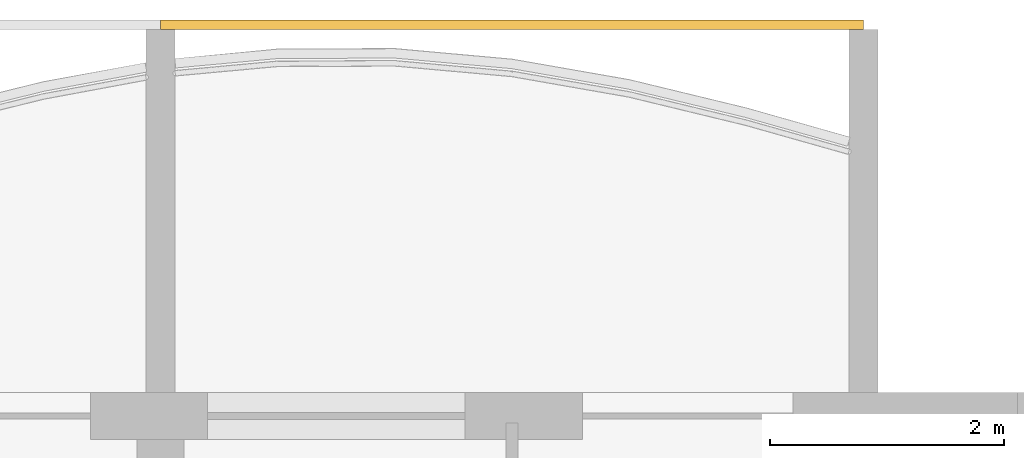
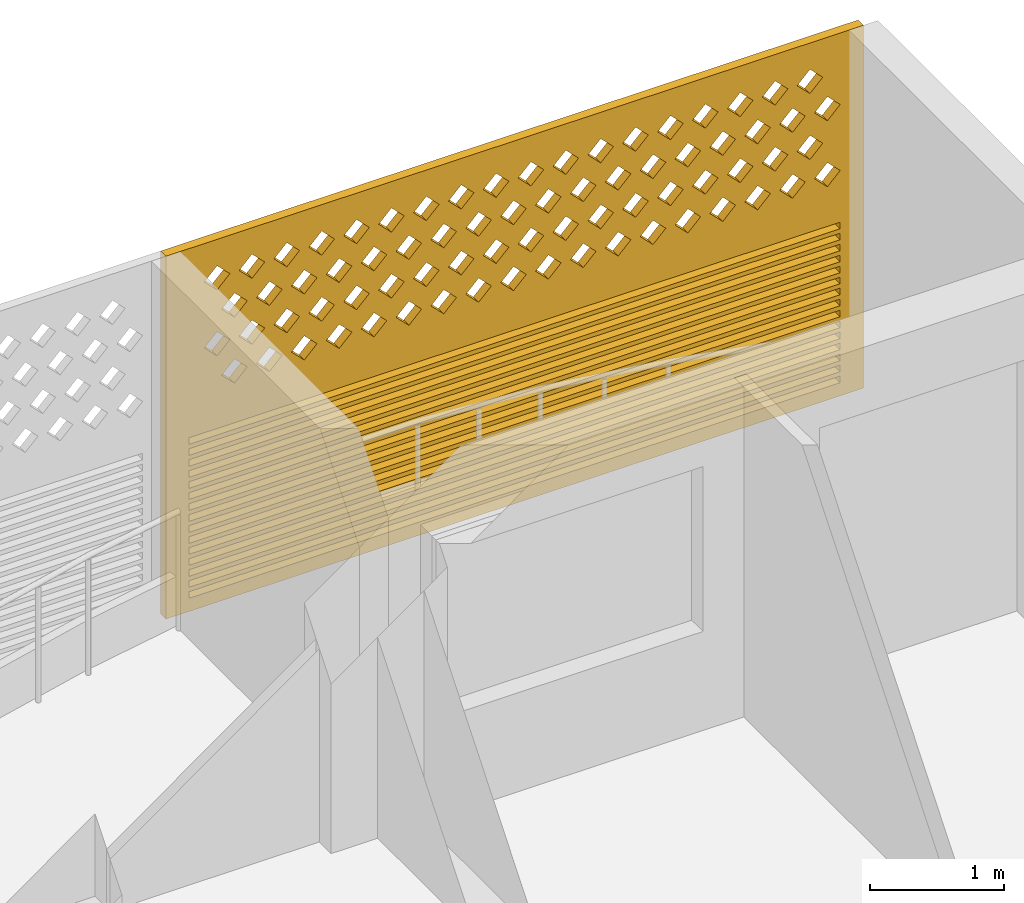
# One storey, part 38 of 38: 1 covering.
"""IFC4 building model written with IfcOpenShell, lengths in metres."""

from ifc_helpers import new_model, si_unit, direction, frame, origin, place, context, subcontext, project, spatial, polyline, outline, extrude, source, transform, mapped, material, material_profile, profile_set, type_object, element, save


model = new_model("IFC4")

# Units and contexts
model_context = context("Model", 3, precision=1e-05, world=origin(), true_north=direction((0.0, 1.0)))
body_context = subcontext(model_context, "Body", "Model", "MODEL_VIEW")
ifc_project = project(units=[si_unit("LENGTHUNIT", "METRE"), si_unit("AREAUNIT", "SQUARE_METRE"), si_unit("VOLUMEUNIT", "CUBIC_METRE"), si_unit("PLANEANGLEUNIT", "RADIAN"), si_unit("MASSUNIT", "GRAM", prefix="KILO")], contexts=[model_context])

# Site, building, storey
site_placement = place(None, origin())
site = spatial("IfcSite", under=ifc_project, at=site_placement, CompositionType="ELEMENT")
building_placement = place(site_placement, origin())
building = spatial("IfcBuilding", under=site, at=building_placement, Name="Poui Terraces", CompositionType="ELEMENT")
storey_placement = place(building_placement, frame((0.0, 0.0, 49.800048828125)))
storey = spatial("IfcBuildingStorey", under=building, at=storey_placement, Name="L13", CompositionType="ELEMENT", Elevation=49.800048828125)

# Covering
ifc_material = material(Name="Terracotta screen", Category="masonry")
ifc_material_profile = material_profile(ifc_material, outline(polyline([(-3.0, -1.64990234375), (3.0, -1.64990234375), (3.0, 1.64990234375), (-3.0, 1.64990234375), (-3.0, -1.64990234375)]), holes=[polyline([(-2.800048828125, 0.39990234375), (-2.68994140625, 0.2900390625), (-2.580078125, 0.39990234375), (-2.68994140625, 0.510009765625), (-2.800048828125, 0.39990234375)]), polyline([(-2.5, 0.39990234375), (-2.389892578125, 0.2900390625), (-2.280029296875, 0.39990234375), (-2.389892578125, 0.510009765625), (-2.5, 0.39990234375)]), polyline([(-2.199951171875, 0.39990234375), (-2.090087890625, 0.2900390625), (-1.97998046875, 0.39990234375), (-2.090087890625, 0.510009765625), (-2.199951171875, 0.39990234375)]), polyline([(-1.89990234375, 0.39990234375), (-1.7900390625, 0.2900390625), (-1.679931640625, 0.39990234375), (-1.7900390625, 0.510009765625), (-1.89990234375, 0.39990234375)]), polyline([(-1.60009765625, 0.39990234375), (-1.489990234375, 0.2900390625), (-1.3798828125, 0.39990234375), (-1.489990234375, 0.510009765625), (-1.60009765625, 0.39990234375)]), polyline([(-1.300048828125, 0.39990234375), (-1.18994140625, 0.2900390625), (-1.080078125, 0.39990234375), (-1.18994140625, 0.510009765625), (-1.300048828125, 0.39990234375)]), polyline([(-1.0, 0.39990234375), (-0.889892578125, 0.2900390625), (-0.780029296875, 0.39990234375), (-0.889892578125, 0.510009765625), (-1.0, 0.39990234375)]), polyline([(-0.699951171875, 0.39990234375), (-0.590087890625, 0.2900390625), (-0.47998046875, 0.39990234375), (-0.590087890625, 0.510009765625), (-0.699951171875, 0.39990234375)]), polyline([(-0.39990234375, 0.39990234375), (-0.2900390625, 0.2900390625), (-0.179931640625, 0.39990234375), (-0.2900390625, 0.510009765625), (-0.39990234375, 0.39990234375)]), polyline([(-0.10009765625, 0.39990234375), (0.010009765625, 0.2900390625), (0.1201171875, 0.39990234375), (0.010009765625, 0.510009765625), (-0.10009765625, 0.39990234375)]), polyline([(0.199951171875, 0.39990234375), (0.31005859375, 0.2900390625), (0.419921875, 0.39990234375), (0.31005859375, 0.510009765625), (0.199951171875, 0.39990234375)]), polyline([(0.5, 0.39990234375), (0.610107421875, 0.2900390625), (0.719970703125, 0.39990234375), (0.610107421875, 0.510009765625), (0.5, 0.39990234375)]), polyline([(0.800048828125, 0.39990234375), (0.909912109375, 0.2900390625), (1.02001953125, 0.39990234375), (0.909912109375, 0.510009765625), (0.800048828125, 0.39990234375)]), polyline([(1.10009765625, 0.39990234375), (1.2099609375, 0.2900390625), (1.320068359375, 0.39990234375), (1.2099609375, 0.510009765625), (1.10009765625, 0.39990234375)]), polyline([(1.39990234375, 0.39990234375), (1.510009765625, 0.2900390625), (1.6201171875, 0.39990234375), (1.510009765625, 0.510009765625), (1.39990234375, 0.39990234375)]), polyline([(1.699951171875, 0.39990234375), (1.81005859375, 0.2900390625), (1.919921875, 0.39990234375), (1.81005859375, 0.510009765625), (1.699951171875, 0.39990234375)]), polyline([(2.0, 0.39990234375), (2.110107421875, 0.2900390625), (2.219970703125, 0.39990234375), (2.110107421875, 0.510009765625), (2.0, 0.39990234375)]), polyline([(2.300048828125, 0.39990234375), (2.409912109375, 0.2900390625), (2.52001953125, 0.39990234375), (2.409912109375, 0.510009765625), (2.300048828125, 0.39990234375)]), polyline([(-2.64990234375, 0.699951171875), (-2.5400390625, 0.590087890625), (-2.429931640625, 0.699951171875), (-2.5400390625, 0.81005859375), (-2.64990234375, 0.699951171875)]), polyline([(-2.35009765625, 0.699951171875), (-2.239990234375, 0.590087890625), (-2.1298828125, 0.699951171875), (-2.239990234375, 0.81005859375), (-2.35009765625, 0.699951171875)]), polyline([(-2.050048828125, 0.699951171875), (-1.93994140625, 0.590087890625), (-1.830078125, 0.699951171875), (-1.93994140625, 0.81005859375), (-2.050048828125, 0.699951171875)]), polyline([(-1.75, 0.699951171875), (-1.639892578125, 0.590087890625), (-1.530029296875, 0.699951171875), (-1.639892578125, 0.81005859375), (-1.75, 0.699951171875)]), polyline([(-1.449951171875, 0.699951171875), (-1.340087890625, 0.590087890625), (-1.22998046875, 0.699951171875), (-1.340087890625, 0.81005859375), (-1.449951171875, 0.699951171875)]), polyline([(-1.14990234375, 0.699951171875), (-1.0400390625, 0.590087890625), (-0.929931640625, 0.699951171875), (-1.0400390625, 0.81005859375), (-1.14990234375, 0.699951171875)]), polyline([(-0.85009765625, 0.699951171875), (-0.739990234375, 0.590087890625), (-0.6298828125, 0.699951171875), (-0.739990234375, 0.81005859375), (-0.85009765625, 0.699951171875)]), polyline([(-0.550048828125, 0.699951171875), (-0.43994140625, 0.590087890625), (-0.330078125, 0.699951171875), (-0.43994140625, 0.81005859375), (-0.550048828125, 0.699951171875)]), polyline([(-0.25, 0.699951171875), (-0.139892578125, 0.590087890625), (-0.030029296875, 0.699951171875), (-0.139892578125, 0.81005859375), (-0.25, 0.699951171875)]), polyline([(0.050048828125, 0.699951171875), (0.159912109375, 0.590087890625), (0.27001953125, 0.699951171875), (0.159912109375, 0.81005859375), (0.050048828125, 0.699951171875)]), polyline([(0.35009765625, 0.699951171875), (0.4599609375, 0.590087890625), (0.570068359375, 0.699951171875), (0.4599609375, 0.81005859375), (0.35009765625, 0.699951171875)]), polyline([(0.64990234375, 0.699951171875), (0.760009765625, 0.590087890625), (0.8701171875, 0.699951171875), (0.760009765625, 0.81005859375), (0.64990234375, 0.699951171875)]), polyline([(0.949951171875, 0.699951171875), (1.06005859375, 0.590087890625), (1.169921875, 0.699951171875), (1.06005859375, 0.81005859375), (0.949951171875, 0.699951171875)]), polyline([(1.25, 0.699951171875), (1.360107421875, 0.590087890625), (1.469970703125, 0.699951171875), (1.360107421875, 0.81005859375), (1.25, 0.699951171875)]), polyline([(1.550048828125, 0.699951171875), (1.659912109375, 0.590087890625), (1.77001953125, 0.699951171875), (1.659912109375, 0.81005859375), (1.550048828125, 0.699951171875)]), polyline([(1.85009765625, 0.699951171875), (1.9599609375, 0.590087890625), (2.070068359375, 0.699951171875), (1.9599609375, 0.81005859375), (1.85009765625, 0.699951171875)]), polyline([(2.14990234375, 0.699951171875), (2.260009765625, 0.590087890625), (2.3701171875, 0.699951171875), (2.260009765625, 0.81005859375), (2.14990234375, 0.699951171875)]), polyline([(2.449951171875, 0.699951171875), (2.56005859375, 0.590087890625), (2.669921875, 0.699951171875), (2.56005859375, 0.81005859375), (2.449951171875, 0.699951171875)]), polyline([(-2.800048828125, 1.0), (-2.68994140625, 0.889892578125), (-2.580078125, 1.0), (-2.68994140625, 1.110107421875), (-2.800048828125, 1.0)]), polyline([(-2.5, 1.0), (-2.389892578125, 0.889892578125), (-2.280029296875, 1.0), (-2.389892578125, 1.110107421875), (-2.5, 1.0)]), polyline([(-2.199951171875, 1.0), (-2.090087890625, 0.889892578125), (-1.97998046875, 1.0), (-2.090087890625, 1.110107421875), (-2.199951171875, 1.0)]), polyline([(-1.89990234375, 1.0), (-1.7900390625, 0.889892578125), (-1.679931640625, 1.0), (-1.7900390625, 1.110107421875), (-1.89990234375, 1.0)]), polyline([(-1.60009765625, 1.0), (-1.489990234375, 0.889892578125), (-1.3798828125, 1.0), (-1.489990234375, 1.110107421875), (-1.60009765625, 1.0)]), polyline([(-1.300048828125, 1.0), (-1.18994140625, 0.889892578125), (-1.080078125, 1.0), (-1.18994140625, 1.110107421875), (-1.300048828125, 1.0)]), polyline([(-1.0, 1.0), (-0.889892578125, 0.889892578125), (-0.780029296875, 1.0), (-0.889892578125, 1.110107421875), (-1.0, 1.0)]), polyline([(-0.699951171875, 1.0), (-0.590087890625, 0.889892578125), (-0.47998046875, 1.0), (-0.590087890625, 1.110107421875), (-0.699951171875, 1.0)]), polyline([(-0.39990234375, 1.0), (-0.2900390625, 0.889892578125), (-0.179931640625, 1.0), (-0.2900390625, 1.110107421875), (-0.39990234375, 1.0)]), polyline([(-0.10009765625, 1.0), (0.010009765625, 0.889892578125), (0.1201171875, 1.0), (0.010009765625, 1.110107421875), (-0.10009765625, 1.0)]), polyline([(0.199951171875, 1.0), (0.31005859375, 0.889892578125), (0.419921875, 1.0), (0.31005859375, 1.110107421875), (0.199951171875, 1.0)]), polyline([(0.5, 1.0), (0.610107421875, 0.889892578125), (0.719970703125, 1.0), (0.610107421875, 1.110107421875), (0.5, 1.0)]), polyline([(0.800048828125, 1.0), (0.909912109375, 0.889892578125), (1.02001953125, 1.0), (0.909912109375, 1.110107421875), (0.800048828125, 1.0)]), polyline([(1.10009765625, 1.0), (1.2099609375, 0.889892578125), (1.320068359375, 1.0), (1.2099609375, 1.110107421875), (1.10009765625, 1.0)]), polyline([(1.39990234375, 1.0), (1.510009765625, 0.889892578125), (1.6201171875, 1.0), (1.510009765625, 1.110107421875), (1.39990234375, 1.0)]), polyline([(1.699951171875, 1.0), (1.81005859375, 0.889892578125), (1.919921875, 1.0), (1.81005859375, 1.110107421875), (1.699951171875, 1.0)]), polyline([(2.0, 1.0), (2.110107421875, 0.889892578125), (2.219970703125, 1.0), (2.110107421875, 1.110107421875), (2.0, 1.0)]), polyline([(2.300048828125, 1.0), (2.409912109375, 0.889892578125), (2.52001953125, 1.0), (2.409912109375, 1.110107421875), (2.300048828125, 1.0)]), polyline([(-2.64990234375, 1.300048828125), (-2.5400390625, 1.18994140625), (-2.429931640625, 1.300048828125), (-2.5400390625, 1.409912109375), (-2.64990234375, 1.300048828125)]), polyline([(-2.35009765625, 1.300048828125), (-2.239990234375, 1.18994140625), (-2.1298828125, 1.300048828125), (-2.239990234375, 1.409912109375), (-2.35009765625, 1.300048828125)]), polyline([(-2.050048828125, 1.300048828125), (-1.93994140625, 1.18994140625), (-1.830078125, 1.300048828125), (-1.93994140625, 1.409912109375), (-2.050048828125, 1.300048828125)]), polyline([(-1.75, 1.300048828125), (-1.639892578125, 1.18994140625), (-1.530029296875, 1.300048828125), (-1.639892578125, 1.409912109375), (-1.75, 1.300048828125)]), polyline([(-1.449951171875, 1.300048828125), (-1.340087890625, 1.18994140625), (-1.22998046875, 1.300048828125), (-1.340087890625, 1.409912109375), (-1.449951171875, 1.300048828125)]), polyline([(-1.14990234375, 1.300048828125), (-1.0400390625, 1.18994140625), (-0.929931640625, 1.300048828125), (-1.0400390625, 1.409912109375), (-1.14990234375, 1.300048828125)]), polyline([(-0.85009765625, 1.300048828125), (-0.739990234375, 1.18994140625), (-0.6298828125, 1.300048828125), (-0.739990234375, 1.409912109375), (-0.85009765625, 1.300048828125)]), polyline([(-0.550048828125, 1.300048828125), (-0.43994140625, 1.18994140625), (-0.330078125, 1.300048828125), (-0.43994140625, 1.409912109375), (-0.550048828125, 1.300048828125)]), polyline([(-0.25, 1.300048828125), (-0.139892578125, 1.18994140625), (-0.030029296875, 1.300048828125), (-0.139892578125, 1.409912109375), (-0.25, 1.300048828125)]), polyline([(0.050048828125, 1.300048828125), (0.159912109375, 1.18994140625), (0.27001953125, 1.300048828125), (0.159912109375, 1.409912109375), (0.050048828125, 1.300048828125)]), polyline([(0.35009765625, 1.300048828125), (0.4599609375, 1.18994140625), (0.570068359375, 1.300048828125), (0.4599609375, 1.409912109375), (0.35009765625, 1.300048828125)]), polyline([(0.64990234375, 1.300048828125), (0.760009765625, 1.18994140625), (0.8701171875, 1.300048828125), (0.760009765625, 1.409912109375), (0.64990234375, 1.300048828125)]), polyline([(0.949951171875, 1.300048828125), (1.06005859375, 1.18994140625), (1.169921875, 1.300048828125), (1.06005859375, 1.409912109375), (0.949951171875, 1.300048828125)]), polyline([(1.25, 1.300048828125), (1.360107421875, 1.18994140625), (1.469970703125, 1.300048828125), (1.360107421875, 1.409912109375), (1.25, 1.300048828125)]), polyline([(1.550048828125, 1.300048828125), (1.659912109375, 1.18994140625), (1.77001953125, 1.300048828125), (1.659912109375, 1.409912109375), (1.550048828125, 1.300048828125)]), polyline([(1.85009765625, 1.300048828125), (1.9599609375, 1.18994140625), (2.070068359375, 1.300048828125), (1.9599609375, 1.409912109375), (1.85009765625, 1.300048828125)]), polyline([(2.14990234375, 1.300048828125), (2.260009765625, 1.18994140625), (2.3701171875, 1.300048828125), (2.260009765625, 1.409912109375), (2.14990234375, 1.300048828125)]), polyline([(2.449951171875, 1.300048828125), (2.56005859375, 1.18994140625), (2.669921875, 1.300048828125), (2.56005859375, 1.409912109375), (2.449951171875, 1.300048828125)]), polyline([(-2.800048828125, -1.530029296875), (2.800048828125, -1.530029296875), (2.800048828125, -1.469970703125), (-2.800048828125, -1.469970703125), (-2.800048828125, -1.530029296875)]), polyline([(-2.800048828125, -1.429931640625), (2.800048828125, -1.429931640625), (2.800048828125, -1.3701171875), (-2.800048828125, -1.3701171875), (-2.800048828125, -1.429931640625)]), polyline([(-2.800048828125, -1.330078125), (2.800048828125, -1.330078125), (2.800048828125, -1.27001953125), (-2.800048828125, -1.27001953125), (-2.800048828125, -1.330078125)]), polyline([(-2.800048828125, -1.22998046875), (2.800048828125, -1.22998046875), (2.800048828125, -1.169921875), (-2.800048828125, -1.169921875), (-2.800048828125, -1.22998046875)]), polyline([(-2.800048828125, -1.1298828125), (2.800048828125, -1.1298828125), (2.800048828125, -1.070068359375), (-2.800048828125, -1.070068359375), (-2.800048828125, -1.1298828125)]), polyline([(-2.800048828125, -1.030029296875), (2.800048828125, -1.030029296875), (2.800048828125, -0.969970703125), (-2.800048828125, -0.969970703125), (-2.800048828125, -1.030029296875)]), polyline([(-2.800048828125, -0.929931640625), (2.800048828125, -0.929931640625), (2.800048828125, -0.8701171875), (-2.800048828125, -0.8701171875), (-2.800048828125, -0.929931640625)]), polyline([(-2.800048828125, -0.830078125), (2.800048828125, -0.830078125), (2.800048828125, -0.77001953125), (-2.800048828125, -0.77001953125), (-2.800048828125, -0.830078125)]), polyline([(-2.800048828125, -0.72998046875), (2.800048828125, -0.72998046875), (2.800048828125, -0.669921875), (-2.800048828125, -0.669921875), (-2.800048828125, -0.72998046875)]), polyline([(-2.800048828125, -0.6298828125), (2.800048828125, -0.6298828125), (2.800048828125, -0.570068359375), (-2.800048828125, -0.570068359375), (-2.800048828125, -0.6298828125)]), polyline([(-2.800048828125, -0.530029296875), (2.800048828125, -0.530029296875), (2.800048828125, -0.469970703125), (-2.800048828125, -0.469970703125), (-2.800048828125, -0.530029296875)]), polyline([(-2.800048828125, -0.429931640625), (2.800048828125, -0.429931640625), (2.800048828125, -0.3701171875), (-2.800048828125, -0.3701171875), (-2.800048828125, -0.429931640625)]), polyline([(-2.800048828125, -0.330078125), (2.800048828125, -0.330078125), (2.800048828125, -0.27001953125), (-2.800048828125, -0.27001953125), (-2.800048828125, -0.330078125)]), polyline([(-2.800048828125, -0.22998046875), (2.800048828125, -0.22998046875), (2.800048828125, -0.169921875), (-2.800048828125, -0.169921875), (-2.800048828125, -0.22998046875)]), polyline([(-2.800048828125, -0.1298828125), (2.800048828125, -0.1298828125), (2.800048828125, -0.070068359375), (-2.800048828125, -0.070068359375), (-2.800048828125, -0.1298828125)])]), Name="TERRACOTTA SCREEN AND JALOUSIE LOUVRE 6000X3300")
ifc_profile_set = profile_set([ifc_material_profile], Name="Terracotta screen")
covering_type = type_object("IfcCoveringType", Name="TERRACOTTA SCREEN AND JALOUSIE LOUVRE 6000X3300", PredefinedType="CLADDING", material=ifc_profile_set)
shared_shape = source(origin(), body_context, "Body", "SweptSolid", [
    extrude(outline(polyline([(-3.0, -1.64990234375), (3.0, -1.64990234375), (3.0, 1.64990234375), (-3.0, 1.64990234375), (-3.0, -1.64990234375)]), holes=[polyline([(-2.800048828125, 0.39990234375), (-2.68994140625, 0.2900390625), (-2.580078125, 0.39990234375), (-2.68994140625, 0.510009765625), (-2.800048828125, 0.39990234375)]), polyline([(-2.5, 0.39990234375), (-2.389892578125, 0.2900390625), (-2.280029296875, 0.39990234375), (-2.389892578125, 0.510009765625), (-2.5, 0.39990234375)]), polyline([(-2.199951171875, 0.39990234375), (-2.090087890625, 0.2900390625), (-1.97998046875, 0.39990234375), (-2.090087890625, 0.510009765625), (-2.199951171875, 0.39990234375)]), polyline([(-1.89990234375, 0.39990234375), (-1.7900390625, 0.2900390625), (-1.679931640625, 0.39990234375), (-1.7900390625, 0.510009765625), (-1.89990234375, 0.39990234375)]), polyline([(-1.60009765625, 0.39990234375), (-1.489990234375, 0.2900390625), (-1.3798828125, 0.39990234375), (-1.489990234375, 0.510009765625), (-1.60009765625, 0.39990234375)]), polyline([(-1.300048828125, 0.39990234375), (-1.18994140625, 0.2900390625), (-1.080078125, 0.39990234375), (-1.18994140625, 0.510009765625), (-1.300048828125, 0.39990234375)]), polyline([(-1.0, 0.39990234375), (-0.889892578125, 0.2900390625), (-0.780029296875, 0.39990234375), (-0.889892578125, 0.510009765625), (-1.0, 0.39990234375)]), polyline([(-0.699951171875, 0.39990234375), (-0.590087890625, 0.2900390625), (-0.47998046875, 0.39990234375), (-0.590087890625, 0.510009765625), (-0.699951171875, 0.39990234375)]), polyline([(-0.39990234375, 0.39990234375), (-0.2900390625, 0.2900390625), (-0.179931640625, 0.39990234375), (-0.2900390625, 0.510009765625), (-0.39990234375, 0.39990234375)]), polyline([(-0.10009765625, 0.39990234375), (0.010009765625, 0.2900390625), (0.1201171875, 0.39990234375), (0.010009765625, 0.510009765625), (-0.10009765625, 0.39990234375)]), polyline([(0.199951171875, 0.39990234375), (0.31005859375, 0.2900390625), (0.419921875, 0.39990234375), (0.31005859375, 0.510009765625), (0.199951171875, 0.39990234375)]), polyline([(0.5, 0.39990234375), (0.610107421875, 0.2900390625), (0.719970703125, 0.39990234375), (0.610107421875, 0.510009765625), (0.5, 0.39990234375)]), polyline([(0.800048828125, 0.39990234375), (0.909912109375, 0.2900390625), (1.02001953125, 0.39990234375), (0.909912109375, 0.510009765625), (0.800048828125, 0.39990234375)]), polyline([(1.10009765625, 0.39990234375), (1.2099609375, 0.2900390625), (1.320068359375, 0.39990234375), (1.2099609375, 0.510009765625), (1.10009765625, 0.39990234375)]), polyline([(1.39990234375, 0.39990234375), (1.510009765625, 0.2900390625), (1.6201171875, 0.39990234375), (1.510009765625, 0.510009765625), (1.39990234375, 0.39990234375)]), polyline([(1.699951171875, 0.39990234375), (1.81005859375, 0.2900390625), (1.919921875, 0.39990234375), (1.81005859375, 0.510009765625), (1.699951171875, 0.39990234375)]), polyline([(2.0, 0.39990234375), (2.110107421875, 0.2900390625), (2.219970703125, 0.39990234375), (2.110107421875, 0.510009765625), (2.0, 0.39990234375)]), polyline([(2.300048828125, 0.39990234375), (2.409912109375, 0.2900390625), (2.52001953125, 0.39990234375), (2.409912109375, 0.510009765625), (2.300048828125, 0.39990234375)]), polyline([(-2.64990234375, 0.699951171875), (-2.5400390625, 0.590087890625), (-2.429931640625, 0.699951171875), (-2.5400390625, 0.81005859375), (-2.64990234375, 0.699951171875)]), polyline([(-2.35009765625, 0.699951171875), (-2.239990234375, 0.590087890625), (-2.1298828125, 0.699951171875), (-2.239990234375, 0.81005859375), (-2.35009765625, 0.699951171875)]), polyline([(-2.050048828125, 0.699951171875), (-1.93994140625, 0.590087890625), (-1.830078125, 0.699951171875), (-1.93994140625, 0.81005859375), (-2.050048828125, 0.699951171875)]), polyline([(-1.75, 0.699951171875), (-1.639892578125, 0.590087890625), (-1.530029296875, 0.699951171875), (-1.639892578125, 0.81005859375), (-1.75, 0.699951171875)]), polyline([(-1.449951171875, 0.699951171875), (-1.340087890625, 0.590087890625), (-1.22998046875, 0.699951171875), (-1.340087890625, 0.81005859375), (-1.449951171875, 0.699951171875)]), polyline([(-1.14990234375, 0.699951171875), (-1.0400390625, 0.590087890625), (-0.929931640625, 0.699951171875), (-1.0400390625, 0.81005859375), (-1.14990234375, 0.699951171875)]), polyline([(-0.85009765625, 0.699951171875), (-0.739990234375, 0.590087890625), (-0.6298828125, 0.699951171875), (-0.739990234375, 0.81005859375), (-0.85009765625, 0.699951171875)]), polyline([(-0.550048828125, 0.699951171875), (-0.43994140625, 0.590087890625), (-0.330078125, 0.699951171875), (-0.43994140625, 0.81005859375), (-0.550048828125, 0.699951171875)]), polyline([(-0.25, 0.699951171875), (-0.139892578125, 0.590087890625), (-0.030029296875, 0.699951171875), (-0.139892578125, 0.81005859375), (-0.25, 0.699951171875)]), polyline([(0.050048828125, 0.699951171875), (0.159912109375, 0.590087890625), (0.27001953125, 0.699951171875), (0.159912109375, 0.81005859375), (0.050048828125, 0.699951171875)]), polyline([(0.35009765625, 0.699951171875), (0.4599609375, 0.590087890625), (0.570068359375, 0.699951171875), (0.4599609375, 0.81005859375), (0.35009765625, 0.699951171875)]), polyline([(0.64990234375, 0.699951171875), (0.760009765625, 0.590087890625), (0.8701171875, 0.699951171875), (0.760009765625, 0.81005859375), (0.64990234375, 0.699951171875)]), polyline([(0.949951171875, 0.699951171875), (1.06005859375, 0.590087890625), (1.169921875, 0.699951171875), (1.06005859375, 0.81005859375), (0.949951171875, 0.699951171875)]), polyline([(1.25, 0.699951171875), (1.360107421875, 0.590087890625), (1.469970703125, 0.699951171875), (1.360107421875, 0.81005859375), (1.25, 0.699951171875)]), polyline([(1.550048828125, 0.699951171875), (1.659912109375, 0.590087890625), (1.77001953125, 0.699951171875), (1.659912109375, 0.81005859375), (1.550048828125, 0.699951171875)]), polyline([(1.85009765625, 0.699951171875), (1.9599609375, 0.590087890625), (2.070068359375, 0.699951171875), (1.9599609375, 0.81005859375), (1.85009765625, 0.699951171875)]), polyline([(2.14990234375, 0.699951171875), (2.260009765625, 0.590087890625), (2.3701171875, 0.699951171875), (2.260009765625, 0.81005859375), (2.14990234375, 0.699951171875)]), polyline([(2.449951171875, 0.699951171875), (2.56005859375, 0.590087890625), (2.669921875, 0.699951171875), (2.56005859375, 0.81005859375), (2.449951171875, 0.699951171875)]), polyline([(-2.800048828125, 1.0), (-2.68994140625, 0.889892578125), (-2.580078125, 1.0), (-2.68994140625, 1.110107421875), (-2.800048828125, 1.0)]), polyline([(-2.5, 1.0), (-2.389892578125, 0.889892578125), (-2.280029296875, 1.0), (-2.389892578125, 1.110107421875), (-2.5, 1.0)]), polyline([(-2.199951171875, 1.0), (-2.090087890625, 0.889892578125), (-1.97998046875, 1.0), (-2.090087890625, 1.110107421875), (-2.199951171875, 1.0)]), polyline([(-1.89990234375, 1.0), (-1.7900390625, 0.889892578125), (-1.679931640625, 1.0), (-1.7900390625, 1.110107421875), (-1.89990234375, 1.0)]), polyline([(-1.60009765625, 1.0), (-1.489990234375, 0.889892578125), (-1.3798828125, 1.0), (-1.489990234375, 1.110107421875), (-1.60009765625, 1.0)]), polyline([(-1.300048828125, 1.0), (-1.18994140625, 0.889892578125), (-1.080078125, 1.0), (-1.18994140625, 1.110107421875), (-1.300048828125, 1.0)]), polyline([(-1.0, 1.0), (-0.889892578125, 0.889892578125), (-0.780029296875, 1.0), (-0.889892578125, 1.110107421875), (-1.0, 1.0)]), polyline([(-0.699951171875, 1.0), (-0.590087890625, 0.889892578125), (-0.47998046875, 1.0), (-0.590087890625, 1.110107421875), (-0.699951171875, 1.0)]), polyline([(-0.39990234375, 1.0), (-0.2900390625, 0.889892578125), (-0.179931640625, 1.0), (-0.2900390625, 1.110107421875), (-0.39990234375, 1.0)]), polyline([(-0.10009765625, 1.0), (0.010009765625, 0.889892578125), (0.1201171875, 1.0), (0.010009765625, 1.110107421875), (-0.10009765625, 1.0)]), polyline([(0.199951171875, 1.0), (0.31005859375, 0.889892578125), (0.419921875, 1.0), (0.31005859375, 1.110107421875), (0.199951171875, 1.0)]), polyline([(0.5, 1.0), (0.610107421875, 0.889892578125), (0.719970703125, 1.0), (0.610107421875, 1.110107421875), (0.5, 1.0)]), polyline([(0.800048828125, 1.0), (0.909912109375, 0.889892578125), (1.02001953125, 1.0), (0.909912109375, 1.110107421875), (0.800048828125, 1.0)]), polyline([(1.10009765625, 1.0), (1.2099609375, 0.889892578125), (1.320068359375, 1.0), (1.2099609375, 1.110107421875), (1.10009765625, 1.0)]), polyline([(1.39990234375, 1.0), (1.510009765625, 0.889892578125), (1.6201171875, 1.0), (1.510009765625, 1.110107421875), (1.39990234375, 1.0)]), polyline([(1.699951171875, 1.0), (1.81005859375, 0.889892578125), (1.919921875, 1.0), (1.81005859375, 1.110107421875), (1.699951171875, 1.0)]), polyline([(2.0, 1.0), (2.110107421875, 0.889892578125), (2.219970703125, 1.0), (2.110107421875, 1.110107421875), (2.0, 1.0)]), polyline([(2.300048828125, 1.0), (2.409912109375, 0.889892578125), (2.52001953125, 1.0), (2.409912109375, 1.110107421875), (2.300048828125, 1.0)]), polyline([(-2.64990234375, 1.300048828125), (-2.5400390625, 1.18994140625), (-2.429931640625, 1.300048828125), (-2.5400390625, 1.409912109375), (-2.64990234375, 1.300048828125)]), polyline([(-2.35009765625, 1.300048828125), (-2.239990234375, 1.18994140625), (-2.1298828125, 1.300048828125), (-2.239990234375, 1.409912109375), (-2.35009765625, 1.300048828125)]), polyline([(-2.050048828125, 1.300048828125), (-1.93994140625, 1.18994140625), (-1.830078125, 1.300048828125), (-1.93994140625, 1.409912109375), (-2.050048828125, 1.300048828125)]), polyline([(-1.75, 1.300048828125), (-1.639892578125, 1.18994140625), (-1.530029296875, 1.300048828125), (-1.639892578125, 1.409912109375), (-1.75, 1.300048828125)]), polyline([(-1.449951171875, 1.300048828125), (-1.340087890625, 1.18994140625), (-1.22998046875, 1.300048828125), (-1.340087890625, 1.409912109375), (-1.449951171875, 1.300048828125)]), polyline([(-1.14990234375, 1.300048828125), (-1.0400390625, 1.18994140625), (-0.929931640625, 1.300048828125), (-1.0400390625, 1.409912109375), (-1.14990234375, 1.300048828125)]), polyline([(-0.85009765625, 1.300048828125), (-0.739990234375, 1.18994140625), (-0.6298828125, 1.300048828125), (-0.739990234375, 1.409912109375), (-0.85009765625, 1.300048828125)]), polyline([(-0.550048828125, 1.300048828125), (-0.43994140625, 1.18994140625), (-0.330078125, 1.300048828125), (-0.43994140625, 1.409912109375), (-0.550048828125, 1.300048828125)]), polyline([(-0.25, 1.300048828125), (-0.139892578125, 1.18994140625), (-0.030029296875, 1.300048828125), (-0.139892578125, 1.409912109375), (-0.25, 1.300048828125)]), polyline([(0.050048828125, 1.300048828125), (0.159912109375, 1.18994140625), (0.27001953125, 1.300048828125), (0.159912109375, 1.409912109375), (0.050048828125, 1.300048828125)]), polyline([(0.35009765625, 1.300048828125), (0.4599609375, 1.18994140625), (0.570068359375, 1.300048828125), (0.4599609375, 1.409912109375), (0.35009765625, 1.300048828125)]), polyline([(0.64990234375, 1.300048828125), (0.760009765625, 1.18994140625), (0.8701171875, 1.300048828125), (0.760009765625, 1.409912109375), (0.64990234375, 1.300048828125)]), polyline([(0.949951171875, 1.300048828125), (1.06005859375, 1.18994140625), (1.169921875, 1.300048828125), (1.06005859375, 1.409912109375), (0.949951171875, 1.300048828125)]), polyline([(1.25, 1.300048828125), (1.360107421875, 1.18994140625), (1.469970703125, 1.300048828125), (1.360107421875, 1.409912109375), (1.25, 1.300048828125)]), polyline([(1.550048828125, 1.300048828125), (1.659912109375, 1.18994140625), (1.77001953125, 1.300048828125), (1.659912109375, 1.409912109375), (1.550048828125, 1.300048828125)]), polyline([(1.85009765625, 1.300048828125), (1.9599609375, 1.18994140625), (2.070068359375, 1.300048828125), (1.9599609375, 1.409912109375), (1.85009765625, 1.300048828125)]), polyline([(2.14990234375, 1.300048828125), (2.260009765625, 1.18994140625), (2.3701171875, 1.300048828125), (2.260009765625, 1.409912109375), (2.14990234375, 1.300048828125)]), polyline([(2.449951171875, 1.300048828125), (2.56005859375, 1.18994140625), (2.669921875, 1.300048828125), (2.56005859375, 1.409912109375), (2.449951171875, 1.300048828125)]), polyline([(-2.800048828125, -1.530029296875), (2.800048828125, -1.530029296875), (2.800048828125, -1.469970703125), (-2.800048828125, -1.469970703125), (-2.800048828125, -1.530029296875)]), polyline([(-2.800048828125, -1.429931640625), (2.800048828125, -1.429931640625), (2.800048828125, -1.3701171875), (-2.800048828125, -1.3701171875), (-2.800048828125, -1.429931640625)]), polyline([(-2.800048828125, -1.330078125), (2.800048828125, -1.330078125), (2.800048828125, -1.27001953125), (-2.800048828125, -1.27001953125), (-2.800048828125, -1.330078125)]), polyline([(-2.800048828125, -1.22998046875), (2.800048828125, -1.22998046875), (2.800048828125, -1.169921875), (-2.800048828125, -1.169921875), (-2.800048828125, -1.22998046875)]), polyline([(-2.800048828125, -1.1298828125), (2.800048828125, -1.1298828125), (2.800048828125, -1.070068359375), (-2.800048828125, -1.070068359375), (-2.800048828125, -1.1298828125)]), polyline([(-2.800048828125, -1.030029296875), (2.800048828125, -1.030029296875), (2.800048828125, -0.969970703125), (-2.800048828125, -0.969970703125), (-2.800048828125, -1.030029296875)]), polyline([(-2.800048828125, -0.929931640625), (2.800048828125, -0.929931640625), (2.800048828125, -0.8701171875), (-2.800048828125, -0.8701171875), (-2.800048828125, -0.929931640625)]), polyline([(-2.800048828125, -0.830078125), (2.800048828125, -0.830078125), (2.800048828125, -0.77001953125), (-2.800048828125, -0.77001953125), (-2.800048828125, -0.830078125)]), polyline([(-2.800048828125, -0.72998046875), (2.800048828125, -0.72998046875), (2.800048828125, -0.669921875), (-2.800048828125, -0.669921875), (-2.800048828125, -0.72998046875)]), polyline([(-2.800048828125, -0.6298828125), (2.800048828125, -0.6298828125), (2.800048828125, -0.570068359375), (-2.800048828125, -0.570068359375), (-2.800048828125, -0.6298828125)]), polyline([(-2.800048828125, -0.530029296875), (2.800048828125, -0.530029296875), (2.800048828125, -0.469970703125), (-2.800048828125, -0.469970703125), (-2.800048828125, -0.530029296875)]), polyline([(-2.800048828125, -0.429931640625), (2.800048828125, -0.429931640625), (2.800048828125, -0.3701171875), (-2.800048828125, -0.3701171875), (-2.800048828125, -0.429931640625)]), polyline([(-2.800048828125, -0.330078125), (2.800048828125, -0.330078125), (2.800048828125, -0.27001953125), (-2.800048828125, -0.27001953125), (-2.800048828125, -0.330078125)]), polyline([(-2.800048828125, -0.22998046875), (2.800048828125, -0.22998046875), (2.800048828125, -0.169921875), (-2.800048828125, -0.169921875), (-2.800048828125, -0.22998046875)]), polyline([(-2.800048828125, -0.1298828125), (2.800048828125, -0.1298828125), (2.800048828125, -0.070068359375), (-2.800048828125, -0.070068359375), (-2.800048828125, -0.1298828125)])]), origin(), (0.0, 0.0, 1.0), 0.079833984375),
])
covering_placement = place(storey_placement, frame((93.0, 48.10009765625, 1.449951171875), z_axis=(0.0, 1.0, 0.0), x_axis=(-1.0, 0.0, 0.0)))
element("IfcCovering", 1, at=covering_placement, inside=storey, type_object=covering_type, Name="SOLAR SCREEN AND JALOUSIE LOUVRE", PredefinedType="CLADDING", context=body_context, shape_type="MappedRepresentation", body=[
    mapped(shared_shape, transform((0.0, 0.0, 0.0))),
])

save(model, "model.ifc")
